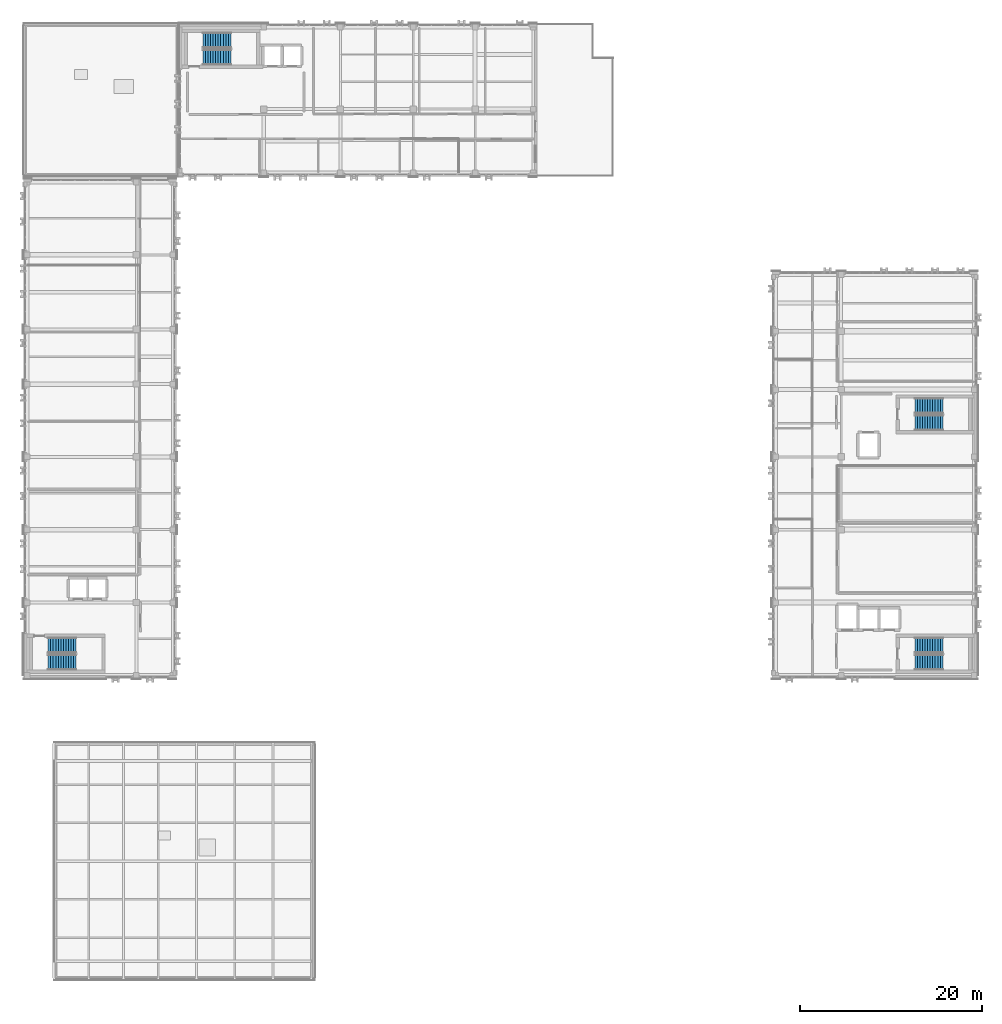
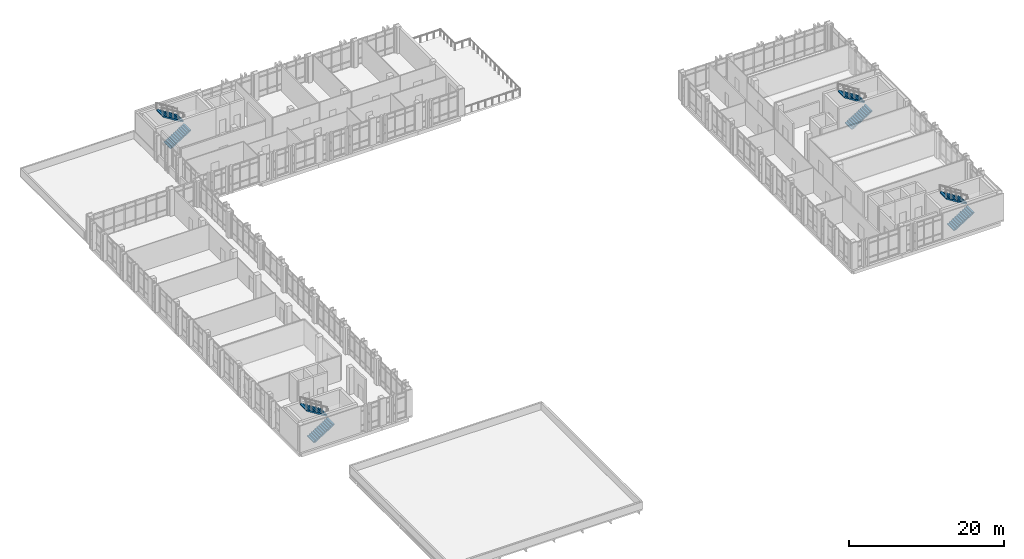
# One storey, part 73 of 90: 8 stair flights, 4 elements without a shape of their own.
"""IFC4 building model written with IfcOpenShell, lengths in metres."""

from ifc_helpers import new_model, si_unit, direction, frame, origin, place, context, subcontext, project, spatial, polyline, outline, extrude, material, type_object, element, aggregate, save


model = new_model("IFC4")

# Units and contexts
model_context = context("Model", 3, precision=1e-05, world=origin(), true_north=direction((0.0, 1.0)))
body_context = subcontext(model_context, "Body", "Model", "MODEL_VIEW")
ifc_project = project(units=[si_unit("LENGTHUNIT", "METRE"), si_unit("AREAUNIT", "SQUARE_METRE"), si_unit("VOLUMEUNIT", "CUBIC_METRE"), si_unit("PLANEANGLEUNIT", "RADIAN"), si_unit("MASSUNIT", "GRAM", prefix="KILO")], contexts=[model_context])

# Site, building, storey
site_placement = place(None, origin())
site = spatial("IfcSite", under=ifc_project, at=site_placement, CompositionType="ELEMENT")
building_placement = place(site_placement, origin())
building = spatial("IfcBuilding", under=site, at=building_placement, Name="Qalavern Law Courts", CompositionType="ELEMENT")
storey_placement = place(building_placement, frame((0.0, 0.0, 22.800048828125)))
storey = spatial("IfcBuildingStorey", under=building, at=storey_placement, Name="L05", CompositionType="ELEMENT", Elevation=22.800048828125)

# Stair, stair flights
ifc_material = material(Name="Concrete C35/45", Category="concrete")
stair_type = type_object("IfcStairType", Name="INT-STAIR-1700", PredefinedType="HALF_TURN_STAIR", material=ifc_material)
stair_1_placement = place(storey_placement, origin())
stair_1 = element("IfcStair", 1, at=stair_1_placement, inside=storey, type_object=stair_type, Name="L05 ST-K1A", PredefinedType="HALF_TURN_STAIR")
stair_flight_type = type_object("IfcStairFlightType", Name="INT-FLIGHT-1700", PredefinedType="STRAIGHT", material=ifc_material)
stair_flight_1_placement = place(storey_placement, frame((99.89990234375, 42.85009765625, 0.0), z_axis=(0.0, 0.0, 1.0), x_axis=(1.0, 0.0, 0.0)))
stair_flight_1 = element("IfcStairFlight", 2, at=stair_flight_1_placement, type_object=stair_flight_type, Name="ST-K1A flight 1", NumberOfRisers=12, NumberOfTreads=11, PredefinedType="STRAIGHT", RiserHeight=0.175, TreadLength=0.28, context=body_context, shape_type="SweptSolid", body=[
    extrude(outline(polyline([(0.0, 0.0), (0.0, 0.175048828125), (0.280029296875, 0.175048828125), (0.280029296875, 0.35009765625), (0.56005859375, 0.35009765625), (0.56005859375, 0.52490234375), (0.840087890625, 0.52490234375), (0.840087890625, 0.699951171875), (1.1201171875, 0.699951171875), (1.1201171875, 0.875), (1.39990234375, 0.875), (1.39990234375, 1.050048828125), (1.679931640625, 1.050048828125), (1.679931640625, 1.22509765625), (1.9599609375, 1.22509765625), (1.9599609375, 1.39990234375), (2.239990234375, 1.39990234375), (2.239990234375, 1.574951171875), (2.52001953125, 1.574951171875), (2.52001953125, 1.75), (2.800048828125, 1.75), (2.800048828125, 1.925048828125), (3.080078125, 1.925048828125), (3.080078125, 2.10009765625), (3.080078125, 1.748291015625), (0.28271484375, 0.0), (0.0, 0.0)])), frame((0.0, 0.85009765625, 0.0), z_axis=(0.0, -1.0, 0.0), x_axis=(1.0, 0.0, 0.0)), (0.0, 0.0, 1.0), 1.699951171875),
])
stair_flight_2_placement = place(storey_placement, frame((102.97998046875, 44.699951171875, 2.099853515625), z_axis=(0.0, 0.0, 1.0), x_axis=(-1.0, 0.0, 0.0)))
stair_flight_2 = element("IfcStairFlight", 3, at=stair_flight_2_placement, type_object=stair_flight_type, Name="ST-K1A flight 2", NumberOfRisers=12, NumberOfTreads=11, PredefinedType="STRAIGHT", RiserHeight=0.175, TreadLength=0.28, context=body_context, shape_type="SweptSolid", body=[
    extrude(outline(polyline([(0.0, 0.0), (0.0, 0.175048828125), (0.280029296875, 0.175048828125), (0.280029296875, 0.35009765625), (0.56005859375, 0.35009765625), (0.56005859375, 0.52490234375), (0.840087890625, 0.52490234375), (0.840087890625, 0.699951171875), (1.1201171875, 0.699951171875), (1.1201171875, 0.875), (1.39990234375, 0.875), (1.39990234375, 1.050048828125), (1.679931640625, 1.050048828125), (1.679931640625, 1.22509765625), (1.9599609375, 1.22509765625), (1.9599609375, 1.39990234375), (2.239990234375, 1.39990234375), (2.239990234375, 1.574951171875), (2.52001953125, 1.574951171875), (2.52001953125, 1.75), (2.800048828125, 1.75), (2.800048828125, 1.925048828125), (3.080078125, 1.925048828125), (3.080078125, 2.10009765625), (3.080078125, 1.748291015625), (0.28271484375, 0.0), (0.0, 0.0)])), frame((0.0, 0.85009765625, 0.0), z_axis=(0.0, -1.0, 0.0), x_axis=(1.0, 0.0, 0.0)), (0.0, 0.0, 1.0), 1.699951171875),
])
aggregate(stair_1, [stair_flight_1, stair_flight_2])

stair_2_placement = place(storey_placement, origin())
stair_2 = element("IfcStair", 4, at=stair_2_placement, inside=storey, type_object=stair_type, Name="L05 ST-K1B", PredefinedType="HALF_TURN_STAIR")
stair_flight_3_placement = place(storey_placement, frame((99.89990234375, 69.14990234375, 0.0), z_axis=(0.0, 0.0, 1.0), x_axis=(1.0, 0.0, 0.0)))
stair_flight_3 = element("IfcStairFlight", 5, at=stair_flight_3_placement, type_object=stair_flight_type, Name="ST-K1B flight 1", NumberOfRisers=12, NumberOfTreads=11, PredefinedType="STRAIGHT", RiserHeight=0.175, TreadLength=0.28, context=body_context, shape_type="SweptSolid", body=[
    extrude(outline(polyline([(0.0, 0.0), (0.0, 0.175048828125), (0.280029296875, 0.175048828125), (0.280029296875, 0.35009765625), (0.56005859375, 0.35009765625), (0.56005859375, 0.52490234375), (0.840087890625, 0.52490234375), (0.840087890625, 0.699951171875), (1.1201171875, 0.699951171875), (1.1201171875, 0.875), (1.39990234375, 0.875), (1.39990234375, 1.050048828125), (1.679931640625, 1.050048828125), (1.679931640625, 1.22509765625), (1.9599609375, 1.22509765625), (1.9599609375, 1.39990234375), (2.239990234375, 1.39990234375), (2.239990234375, 1.574951171875), (2.52001953125, 1.574951171875), (2.52001953125, 1.75), (2.800048828125, 1.75), (2.800048828125, 1.925048828125), (3.080078125, 1.925048828125), (3.080078125, 2.10009765625), (3.080078125, 1.748291015625), (0.28271484375, 0.0), (0.0, 0.0)])), frame((0.0, 0.85009765625, 0.0), z_axis=(0.0, -1.0, 0.0), x_axis=(1.0, 0.0, 0.0)), (0.0, 0.0, 1.0), 1.699951171875),
])
stair_flight_4_placement = place(storey_placement, frame((102.97998046875, 71.0, 2.099853515625), z_axis=(0.0, 0.0, 1.0), x_axis=(-1.0, 0.0, 0.0)))
stair_flight_4 = element("IfcStairFlight", 6, at=stair_flight_4_placement, type_object=stair_flight_type, Name="ST-K1B flight 2", NumberOfRisers=12, NumberOfTreads=11, PredefinedType="STRAIGHT", RiserHeight=0.175, TreadLength=0.28, context=body_context, shape_type="SweptSolid", body=[
    extrude(outline(polyline([(0.0, 0.0), (0.0, 0.175048828125), (0.280029296875, 0.175048828125), (0.280029296875, 0.35009765625), (0.56005859375, 0.35009765625), (0.56005859375, 0.52490234375), (0.840087890625, 0.52490234375), (0.840087890625, 0.699951171875), (1.1201171875, 0.699951171875), (1.1201171875, 0.875), (1.39990234375, 0.875), (1.39990234375, 1.050048828125), (1.679931640625, 1.050048828125), (1.679931640625, 1.22509765625), (1.9599609375, 1.22509765625), (1.9599609375, 1.39990234375), (2.239990234375, 1.39990234375), (2.239990234375, 1.574951171875), (2.52001953125, 1.574951171875), (2.52001953125, 1.75), (2.800048828125, 1.75), (2.800048828125, 1.925048828125), (3.080078125, 1.925048828125), (3.080078125, 2.10009765625), (3.080078125, 1.748291015625), (0.28271484375, 0.0), (0.0, 0.0)])), frame((0.0, 0.85009765625, 0.0), z_axis=(0.0, -1.0, 0.0), x_axis=(1.0, 0.0, 0.0)), (0.0, 0.0, 1.0), 1.699951171875),
])
aggregate(stair_2, [stair_flight_3, stair_flight_4])

stair_3_placement = place(storey_placement, origin())
stair_3 = element("IfcStair", 7, at=stair_3_placement, inside=storey, type_object=stair_type, Name="L05 ST-K2", PredefinedType="HALF_TURN_STAIR")
stair_flight_5_placement = place(storey_placement, frame((4.699951171875, 42.85009765625, 0.0), z_axis=(0.0, 0.0, 1.0), x_axis=(1.0, 0.0, 0.0)))
stair_flight_5 = element("IfcStairFlight", 8, at=stair_flight_5_placement, type_object=stair_flight_type, Name="ST-K2 flight 1", NumberOfRisers=12, NumberOfTreads=11, PredefinedType="STRAIGHT", RiserHeight=0.175, TreadLength=0.28, context=body_context, shape_type="SweptSolid", body=[
    extrude(outline(polyline([(0.0, 0.0), (0.0, 0.175048828125), (0.280029296875, 0.175048828125), (0.280029296875, 0.35009765625), (0.56005859375, 0.35009765625), (0.56005859375, 0.52490234375), (0.840087890625, 0.52490234375), (0.840087890625, 0.699951171875), (1.1201171875, 0.699951171875), (1.1201171875, 0.875), (1.39990234375, 0.875), (1.39990234375, 1.050048828125), (1.679931640625, 1.050048828125), (1.679931640625, 1.22509765625), (1.9599609375, 1.22509765625), (1.9599609375, 1.39990234375), (2.239990234375, 1.39990234375), (2.239990234375, 1.574951171875), (2.52001953125, 1.574951171875), (2.52001953125, 1.75), (2.800048828125, 1.75), (2.800048828125, 1.925048828125), (3.080078125, 1.925048828125), (3.080078125, 2.10009765625), (3.080078125, 1.748291015625), (0.28271484375, 0.0), (0.0, 0.0)])), frame((0.0, 0.85009765625, 0.0), z_axis=(0.0, -1.0, 0.0), x_axis=(1.0, 0.0, 0.0)), (0.0, 0.0, 1.0), 1.699951171875),
])
stair_flight_6_placement = place(storey_placement, frame((7.780029296875, 44.699951171875, 2.099853515625), z_axis=(0.0, 0.0, 1.0), x_axis=(-1.0, 0.0, 0.0)))
stair_flight_6 = element("IfcStairFlight", 9, at=stair_flight_6_placement, type_object=stair_flight_type, Name="ST-K2 flight 2", NumberOfRisers=12, NumberOfTreads=11, PredefinedType="STRAIGHT", RiserHeight=0.175, TreadLength=0.28, context=body_context, shape_type="SweptSolid", body=[
    extrude(outline(polyline([(0.0, 0.0), (0.0, 0.175048828125), (0.280029296875, 0.175048828125), (0.280029296875, 0.35009765625), (0.56005859375, 0.35009765625), (0.56005859375, 0.52490234375), (0.840087890625, 0.52490234375), (0.840087890625, 0.699951171875), (1.1201171875, 0.699951171875), (1.1201171875, 0.875), (1.39990234375, 0.875), (1.39990234375, 1.050048828125), (1.679931640625, 1.050048828125), (1.679931640625, 1.22509765625), (1.9599609375, 1.22509765625), (1.9599609375, 1.39990234375), (2.239990234375, 1.39990234375), (2.239990234375, 1.574951171875), (2.52001953125, 1.574951171875), (2.52001953125, 1.75), (2.800048828125, 1.75), (2.800048828125, 1.925048828125), (3.080078125, 1.925048828125), (3.080078125, 2.10009765625), (3.080078125, 1.748291015625), (0.28271484375, 0.0), (0.0, 0.0)])), frame((0.0, 0.85009765625, 0.0), z_axis=(0.0, -1.0, 0.0), x_axis=(1.0, 0.0, 0.0)), (0.0, 0.0, 1.0), 1.699951171875),
])
aggregate(stair_3, [stair_flight_5, stair_flight_6])

stair_4_placement = place(storey_placement, origin())
stair_4 = element("IfcStair", 10, at=stair_4_placement, inside=storey, type_object=stair_type, Name="L05 ST-K3", PredefinedType="HALF_TURN_STAIR")
stair_flight_7_placement = place(storey_placement, frame((21.699951171875, 109.300048828125, 0.0), z_axis=(0.0, 0.0, 1.0), x_axis=(1.0, 0.0, 0.0)))
stair_flight_7 = element("IfcStairFlight", 11, at=stair_flight_7_placement, type_object=stair_flight_type, Name="ST-K3 flight 1", NumberOfRisers=12, NumberOfTreads=11, PredefinedType="STRAIGHT", RiserHeight=0.175, TreadLength=0.28, context=body_context, shape_type="SweptSolid", body=[
    extrude(outline(polyline([(0.0, 0.0), (0.0, 0.175048828125), (0.280029296875, 0.175048828125), (0.280029296875, 0.35009765625), (0.56005859375, 0.35009765625), (0.56005859375, 0.52490234375), (0.840087890625, 0.52490234375), (0.840087890625, 0.699951171875), (1.1201171875, 0.699951171875), (1.1201171875, 0.875), (1.39990234375, 0.875), (1.39990234375, 1.050048828125), (1.679931640625, 1.050048828125), (1.679931640625, 1.22509765625), (1.9599609375, 1.22509765625), (1.9599609375, 1.39990234375), (2.239990234375, 1.39990234375), (2.239990234375, 1.574951171875), (2.52001953125, 1.574951171875), (2.52001953125, 1.75), (2.800048828125, 1.75), (2.800048828125, 1.925048828125), (3.080078125, 1.925048828125), (3.080078125, 2.10009765625), (3.080078125, 1.748291015625), (0.28271484375, 0.0), (0.0, 0.0)])), frame((0.0, 0.85009765625, 0.0), z_axis=(0.0, -1.0, 0.0), x_axis=(1.0, 0.0, 0.0)), (0.0, 0.0, 1.0), 1.699951171875),
])
stair_flight_8_placement = place(storey_placement, frame((24.780029296875, 111.14990234375, 2.099853515625), z_axis=(0.0, 0.0, 1.0), x_axis=(-1.0, 0.0, 0.0)))
stair_flight_8 = element("IfcStairFlight", 12, at=stair_flight_8_placement, type_object=stair_flight_type, Name="ST-K3 flight 2", NumberOfRisers=12, NumberOfTreads=11, PredefinedType="STRAIGHT", RiserHeight=0.175, TreadLength=0.28, context=body_context, shape_type="SweptSolid", body=[
    extrude(outline(polyline([(0.0, 0.0), (0.0, 0.175048828125), (0.280029296875, 0.175048828125), (0.280029296875, 0.35009765625), (0.56005859375, 0.35009765625), (0.56005859375, 0.52490234375), (0.840087890625, 0.52490234375), (0.840087890625, 0.699951171875), (1.1201171875, 0.699951171875), (1.1201171875, 0.875), (1.39990234375, 0.875), (1.39990234375, 1.050048828125), (1.679931640625, 1.050048828125), (1.679931640625, 1.22509765625), (1.9599609375, 1.22509765625), (1.9599609375, 1.39990234375), (2.239990234375, 1.39990234375), (2.239990234375, 1.574951171875), (2.52001953125, 1.574951171875), (2.52001953125, 1.75), (2.800048828125, 1.75), (2.800048828125, 1.925048828125), (3.080078125, 1.925048828125), (3.080078125, 2.10009765625), (3.080078125, 1.748291015625), (0.28271484375, 0.0), (0.0, 0.0)])), frame((0.0, 0.85009765625, 0.0), z_axis=(0.0, -1.0, 0.0), x_axis=(1.0, 0.0, 0.0)), (0.0, 0.0, 1.0), 1.699951171875),
])
aggregate(stair_4, [stair_flight_7, stair_flight_8])

save(model, "model.ifc")
